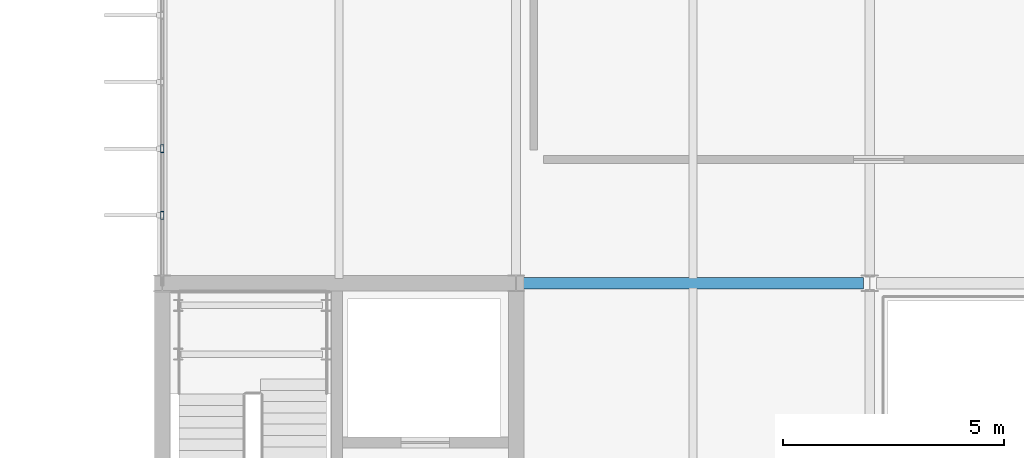
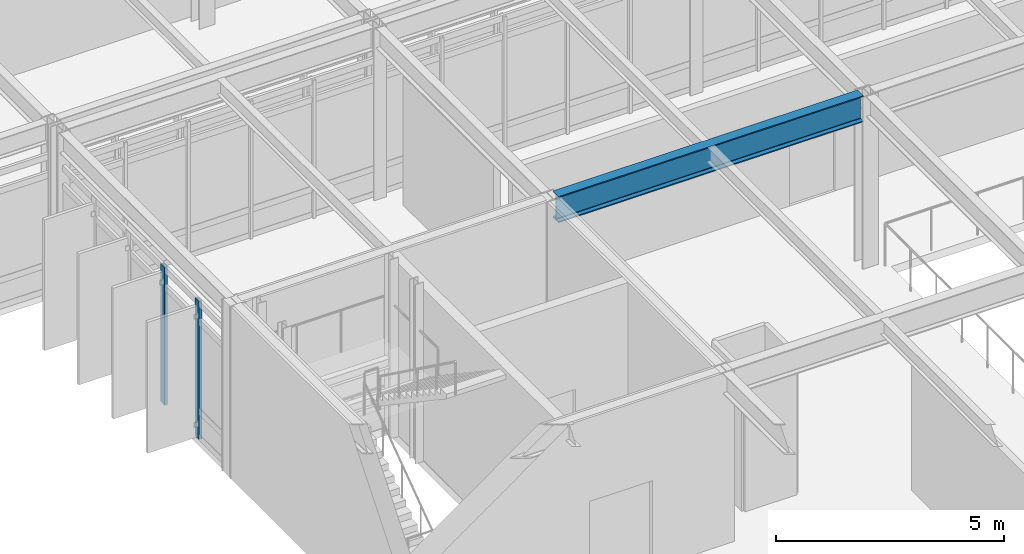
# One storey, part 46 of 104: 2 members, 1 beam, 1 element without a shape of its own.
"""IFC4 building model written with IfcOpenShell, lengths in metres."""

from ifc_helpers import new_model, si_unit, direction, frame, origin, origin_2d, place, context, subcontext, project, spatial, hollow_rectangle, i_section, extrude, material, material_profile, profile_set, type_object, element, aggregate, save


model = new_model("IFC4")

# Units and contexts
model_context = context("Model", 3, precision=1e-05, world=origin(), true_north=direction((0.0, 1.0)))
body_context = subcontext(model_context, "Body", "Model", "MODEL_VIEW")
ifc_project = project(units=[si_unit("LENGTHUNIT", "METRE"), si_unit("AREAUNIT", "SQUARE_METRE"), si_unit("VOLUMEUNIT", "CUBIC_METRE"), si_unit("PLANEANGLEUNIT", "RADIAN"), si_unit("MASSUNIT", "GRAM", prefix="KILO")], contexts=[model_context])

# Site, building, storey
site_placement = place(None, origin())
site = spatial("IfcSite", under=ifc_project, at=site_placement, CompositionType="ELEMENT")
building_placement = place(site_placement, origin())
building = spatial("IfcBuilding", under=site, at=building_placement, Name="Zulena Civic Courthouse", CompositionType="ELEMENT")
storey_placement = place(building_placement, frame((0.0, 0.0, 10.800048828125)))
storey = spatial("IfcBuildingStorey", under=building, at=storey_placement, Name="L02", CompositionType="ELEMENT", Elevation=10.800048828125)

# Curtain wall, members
ifc_material_1 = material(Name="Double-silver low-E laminated solar-control glass", Category="glass")
curtain_wall_type = type_object("IfcCurtainWallType", Name="CW_7540x3690", PredefinedType="USERDEFINED", material=ifc_material_1)
curtain_wall_placement = place(storey_placement, origin())
curtain_wall = element("IfcCurtainWall", 1, at=curtain_wall_placement, inside=storey, type_object=curtain_wall_type, Name="cw:V4:L02:0:3", ObjectType="UNITISED CURTAIN WALL", PredefinedType="USERDEFINED")
ifc_material_2 = material(Name="Bronze anodised thermally broken aluminium AA6063-T6", Category="aluminium")
ifc_material_profile_1 = material_profile(ifc_material_2, hollow_rectangle(XDim=0.074951171875, YDim=0.179931640625, WallThickness=0.0048828125, at=origin_2d()), Name="CWM180X75X5")
ifc_profile_set_1 = profile_set([ifc_material_profile_1], Name="Bronze anodised thermally broken aluminium AA6063-T6")
member_type = type_object("IfcMemberType", Name="CWMullion_180x75", PredefinedType="MULLION", material=ifc_profile_set_1)
member_1_placement = place(storey_placement, frame((68.0, 39.5380859375, 0.0), z_axis=(0.0, 0.0, 1.0), x_axis=(1.0, 0.0, 0.0)))
member_1 = element("IfcMember", 2, at=member_1_placement, type_object=member_type, Name="cw:V4:L02:0:3:mull:1", PredefinedType="MULLION", context=body_context, shape_type="SweptSolid", body=[
    extrude(hollow_rectangle(XDim=0.074951171875, YDim=0.179931640625, WallThickness=0.0048828125, at=origin_2d()), origin(), (0.0, 0.0, 1.0), 3.68994140625),
])
member_2_placement = place(storey_placement, frame((68.0, 41.0458984375, 0.0), z_axis=(0.0, 0.0, 1.0), x_axis=(1.0, 0.0, 0.0)))
member_2 = element("IfcMember", 3, at=member_2_placement, type_object=member_type, Name="cw:V4:L02:0:3:mull:2", PredefinedType="MULLION", context=body_context, shape_type="SweptSolid", body=[
    extrude(hollow_rectangle(XDim=0.074951171875, YDim=0.179931640625, WallThickness=0.0048828125, at=origin_2d()), origin(), (0.0, 0.0, 1.0), 3.68994140625),
])
aggregate(curtain_wall, [member_1, member_2])

# Beam
ifc_material_3 = material(Name="Steel ASTM A992 Grade 50", Category="steel")
ifc_material_profile_2 = material_profile(ifc_material_3, i_section(OverallWidth=0.25390625, OverallDepth=0.701904296875, WebThickness=0.015380859375, FlangeThickness=0.02783203125, FilletRadius=0.0166015625, at=origin_2d()), Name="W27X129")
ifc_profile_set_2 = profile_set([ifc_material_profile_2], Name="Steel ASTM A992 Grade 50")
beam_type = type_object("IfcBeamType", Name="Girder_W27X129", PredefinedType="BEAM", material=ifc_profile_set_2)
beam_placement = place(storey_placement, frame((76.14501953125, 38.0, 4.239013671875), z_axis=(1.0, 0.0, 0.0), x_axis=(0.0, 1.0, 0.0)))
element("IfcBeam", 4, at=beam_placement, inside=storey, type_object=beam_type, Name="beam:X:V4:L02:38.0:76.0_84.0", PredefinedType="BEAM", context=body_context, shape_type="SweptSolid", body=[
    extrude(i_section(OverallWidth=0.25390625, OverallDepth=0.701904296875, WebThickness=0.015380859375, FlangeThickness=0.02783203125, FilletRadius=0.0166015625, at=origin_2d()), origin(), (0.0, 0.0, 1.0), 7.7099609375),
])

save(model, "model.ifc")
